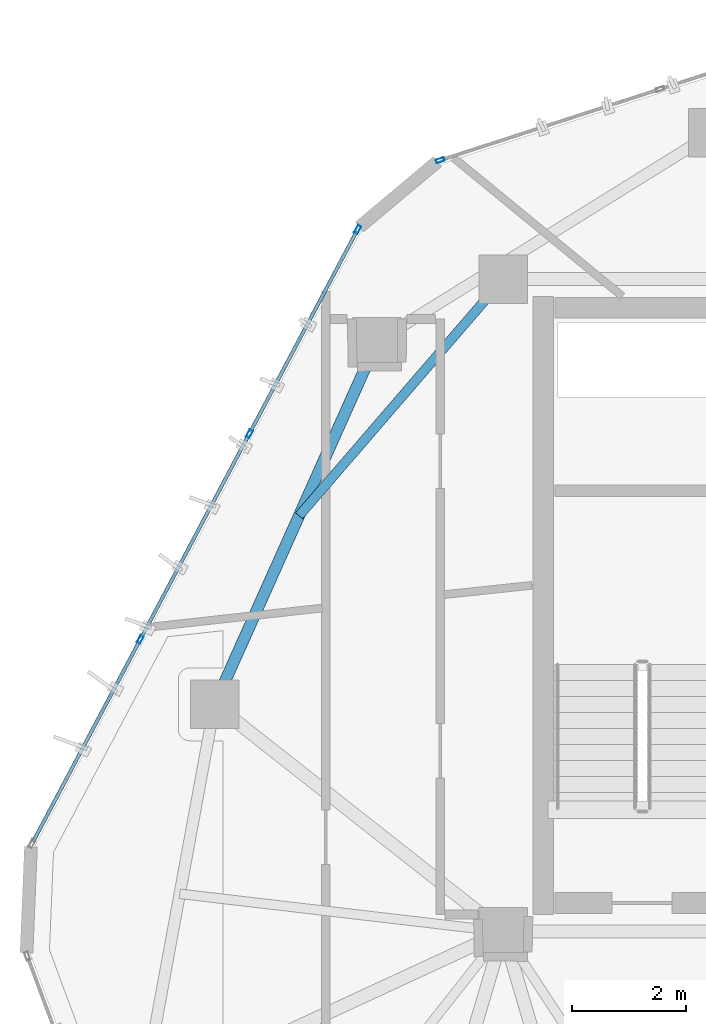
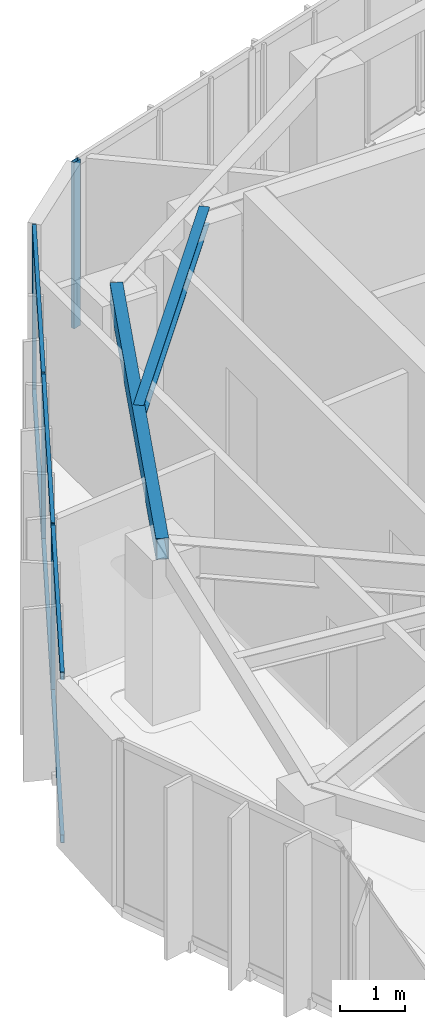
# One storey, part 8 of 19: 10 members, 2 beams, 2 elements without a shape of their own.
"""IFC4 building model written with IfcOpenShell, lengths in metres."""

from ifc_helpers import new_model, si_unit, direction, frame, origin, origin_2d, place, context, subcontext, project, spatial, hollow_rectangle, i_section, extrude, source, transform, mapped, material, layer, layer_set, material_profile, profile_set, type_object, type_shapes, element, aggregate, save


model = new_model("IFC4")

# Units and contexts
model_context = context("Model", 3, precision=1e-05, world=origin(), true_north=direction((0.0, 1.0)))
body_context = subcontext(model_context, "Body", "Model", "MODEL_VIEW")
ifc_project = project(units=[si_unit("LENGTHUNIT", "METRE"), si_unit("AREAUNIT", "SQUARE_METRE"), si_unit("VOLUMEUNIT", "CUBIC_METRE"), si_unit("PLANEANGLEUNIT", "RADIAN"), si_unit("MASSUNIT", "GRAM", prefix="KILO")], contexts=[model_context])

# Site, building, storey
site_placement = place(None, origin())
site = spatial("IfcSite", under=ifc_project, at=site_placement, CompositionType="ELEMENT")
building_placement = place(site_placement, origin())
building = spatial("IfcBuilding", under=site, at=building_placement, Name="Talar Marvaseh", CompositionType="ELEMENT")
storey_placement = place(building_placement, frame((0.0, 0.0, 288.39990234375)))
storey = spatial("IfcBuildingStorey", under=building, at=storey_placement, Name="L77", CompositionType="ELEMENT", Elevation=288.39990234375)

# Beams
ifc_material_1 = material(Name="Steel S355", Category="steel")
ifc_material_profile_1 = material_profile(ifc_material_1, hollow_rectangle(XDim=0.199951171875, YDim=0.39990234375, WallThickness=0.013916015625, at=origin_2d()), Name="RHS400x200x14")
ifc_profile_set_1 = profile_set([ifc_material_profile_1], Name="Steel S355")
beam_type_1 = type_object("IfcBeamType", Name="Zone 3 Perimeter Spandrel Beam RHS400x200x14", PredefinedType="SPANDREL", material=ifc_profile_set_1)
beam_1_placement = place(storey_placement, frame((13.657958984375, 29.469970703125, 2.940185546875), z_axis=(0.408486346803, 0.912764429892, 0.0), x_axis=(-0.912764429892, 0.408486346803, 0.0)))
element("IfcBeam", 1, at=beam_1_placement, inside=storey, type_object=beam_type_1, Name="L77 Zone 3 Perimeter Spandrel Beam RHS400x200x14", PredefinedType="SPANDREL", context=body_context, shape_type="SweptSolid", body=[
    extrude(hollow_rectangle(XDim=0.199951171875, YDim=0.39990234375, WallThickness=0.013916015625, at=origin_2d()), origin(), (0.0, 0.0, 1.0), 6.942626953125),
])
ifc_material_profile_2 = material_profile(ifc_material_1, i_section(OverallWidth=0.166015625, OverallDepth=0.31298828125, WebThickness=0.006591796875, FlangeThickness=0.01123046875, at=origin_2d()), Name="W310x45")
ifc_profile_set_2 = profile_set([ifc_material_profile_2], Name="Steel S355")
beam_type_2 = type_object("IfcBeamType", Name="Zone 3 Secondary Floor Joist W310x45", PredefinedType="JOIST", material=ifc_profile_set_2)
beam_2_placement = place(storey_placement, frame((15.1328125, 32.76513671875, 2.983642578125), z_axis=(0.653221697747, 0.757166701323, 0.0), x_axis=(-0.757166701323, 0.653221697747, 0.0)))
element("IfcBeam", 2, at=beam_2_placement, inside=storey, type_object=beam_type_2, Name="L77 Zone 3 Secondary Floor Joist W310x45", PredefinedType="JOIST", context=body_context, shape_type="SweptSolid", body=[
    extrude(i_section(OverallWidth=0.166015625, OverallDepth=0.31298828125, WebThickness=0.006591796875, FlangeThickness=0.01123046875, at=origin_2d()), origin(), (0.0, 0.0, 1.0), 5.4609375),
])

# Curtain wall, members
ifc_material_2 = material(Name="Architectural Aluminium", Category="aluminium")
ifc_layer = layer(ifc_material_2, 0.179931640625)
ifc_layer_set = layer_set([ifc_layer], Name="Architectural Aluminium")
curtain_wall_type = type_object("IfcCurtainWallType", Name="Unitised High-Wind Sky Curtain Wall Z4", PredefinedType="NOTDEFINED", material=ifc_layer_set)
curtain_wall_1_placement = place(storey_placement, origin())
curtain_wall_1 = element("IfcCurtainWall", 3, at=curtain_wall_1_placement, inside=storey, type_object=curtain_wall_type, Name="L77 Unitised High-Wind Sky Curtain Wall Z4", PredefinedType="NOTDEFINED")
ifc_material_profile_3 = material_profile(ifc_material_2, hollow_rectangle(XDim=0.06494140625, YDim=0.14990234375, WallThickness=0.00390625, at=origin_2d()), Name="RHS150x65x4")
ifc_profile_set_3 = profile_set([ifc_material_profile_3], Name="Architectural Aluminium")
member_type_1 = type_object("IfcMemberType", Name="Unitised Curtain Wall Slim Transom RHS150x65x4", PredefinedType="USERDEFINED", material=ifc_profile_set_3)
shared_shape_1 = source(origin(), body_context, "Body", "SweptSolid", [
    extrude(hollow_rectangle(XDim=0.06494140625, YDim=0.14990234375, WallThickness=0.00390625, at=origin_2d()), origin(), (0.0, 0.0, 1.0), 3.97119140625),
])
member_1_placement = place(storey_placement, frame((10.484619140625, 27.06640625, 0.03271484375), z_axis=(0.468407385061, 0.88351260411, 0.0), x_axis=(-0.88351260411, 0.468407385061, 0.0)))
member_1 = element("IfcMember", 4, at=member_1_placement, type_object=member_type_1, Name="CW-Z4 transom 1.1", ObjectType="TRANSOM", PredefinedType="USERDEFINED", context=body_context, shape_type="MappedRepresentation", body=[
    mapped(shared_shape_1, transform((0.0, 0.0, 0.0), x_axis=(1.0, 0.0, 0.0), y_axis=(0.0, 1.0, 0.0), z_axis=(0.0, 0.0, 1.0), scale=1.0)),
])
member_2_placement = place(storey_placement, frame((10.484619140625, 27.06640625, 3.107666015625), z_axis=(0.468407385061, 0.88351260411, 0.0), x_axis=(-0.88351260411, 0.468407385061, 0.0)))
member_2 = element("IfcMember", 5, at=member_2_placement, type_object=member_type_1, Name="CW-Z4 transom 1.2", ObjectType="TRANSOM", PredefinedType="USERDEFINED", context=body_context, shape_type="MappedRepresentation", body=[
    mapped(shared_shape_1, transform((0.0, 0.0, 0.0), x_axis=(1.0, 0.0, 0.0), y_axis=(0.0, 1.0, 0.0), z_axis=(0.0, 0.0, 1.0), scale=1.0)),
])
shared_shape_2 = source(origin(), body_context, "Body", "SweptSolid", [
    extrude(hollow_rectangle(XDim=0.06494140625, YDim=0.14990234375, WallThickness=0.00390625, at=origin_2d()), origin(), (0.0, 0.0, 1.0), 4.00341796875),
])
member_3_placement = place(storey_placement, frame((12.375244140625, 30.63232421875, 0.03271484375), z_axis=(0.468405990539, 0.883513343435, 0.0), x_axis=(-0.883513343435, 0.468405990539, 0.0)))
member_3 = element("IfcMember", 6, at=member_3_placement, type_object=member_type_1, Name="CW-Z4 transom 2.1", ObjectType="TRANSOM", PredefinedType="USERDEFINED", context=body_context, shape_type="MappedRepresentation", body=[
    mapped(shared_shape_2, transform((0.0, 0.0, 0.0), x_axis=(1.0, 0.0, 0.0), y_axis=(0.0, 1.0, 0.0), z_axis=(0.0, 0.0, 1.0), scale=1.0)),
])
member_4_placement = place(storey_placement, frame((12.375244140625, 30.63232421875, 3.107666015625), z_axis=(0.468405990539, 0.883513343435, 0.0), x_axis=(-0.883513343435, 0.468405990539, 0.0)))
member_4 = element("IfcMember", 7, at=member_4_placement, type_object=member_type_1, Name="CW-Z4 transom 2.2", ObjectType="TRANSOM", PredefinedType="USERDEFINED", context=body_context, shape_type="MappedRepresentation", body=[
    mapped(shared_shape_2, transform((0.0, 0.0, 0.0), x_axis=(1.0, 0.0, 0.0), y_axis=(0.0, 1.0, 0.0), z_axis=(0.0, 0.0, 1.0), scale=1.0)),
])
ifc_material_profile_4 = material_profile(ifc_material_2, hollow_rectangle(XDim=0.06494140625, YDim=0.14990234375, WallThickness=0.00390625, at=origin_2d()), Name="RHS150x65x4")
ifc_profile_set_4 = profile_set([ifc_material_profile_4], Name="Architectural Aluminium")
member_type_2 = type_object("IfcMemberType", Name="Unitised Curtain Wall Slim Mullion RHS150x65x4", PredefinedType="MULLION", material=ifc_profile_set_4)
shared_shape_3 = source(origin(), body_context, "Body", "SweptSolid", [
    extrude(hollow_rectangle(XDim=0.06494140625, YDim=0.14990234375, WallThickness=0.00390625, at=origin_2d()), origin(), (0.0, 0.0, 1.0), 3.14013671875),
])
type_shapes(member_type_2, [shared_shape_3])
member_5_placement = place(storey_placement, frame((12.35986328125, 30.603515625, 0.0), z_axis=(0.0, 0.0, 1.0), x_axis=(-0.883505770369, 0.468420274674, 0.0)))
member_5 = element("IfcMember", 8, at=member_5_placement, type_object=member_type_2, Name="CW-Z4 mullion 2", PredefinedType="MULLION", context=body_context, shape_type="MappedRepresentation", body=[
    mapped(shared_shape_3, transform((0.0, 0.0, 0.0), x_axis=(1.0, 0.0, 0.0), y_axis=(0.0, 1.0, 0.0), z_axis=(0.0, 0.0, 1.0), scale=1.0)),
])
member_6_placement = place(storey_placement, frame((14.265869140625, 34.1982421875, 0.0), z_axis=(0.0, 0.0, 1.0), x_axis=(-0.883505770369, 0.468420274674, 0.0)))
member_6 = element("IfcMember", 9, at=member_6_placement, type_object=member_type_2, Name="CW-Z4 mullion 3", PredefinedType="MULLION", context=body_context, shape_type="MappedRepresentation", body=[
    mapped(shared_shape_3, transform((0.0, 0.0, 0.0), x_axis=(1.0, 0.0, 0.0), y_axis=(0.0, 1.0, 0.0), z_axis=(0.0, 0.0, 1.0), scale=1.0)),
])
member_7_placement = place(storey_placement, frame((16.156494140625, 37.76416015625, 0.0), z_axis=(0.0, 0.0, 1.0), x_axis=(-0.883505770369, 0.468420274674, 0.0)))
member_7 = element("IfcMember", 10, at=member_7_placement, type_object=member_type_2, Name="CW-Z4 mullion 4", PredefinedType="MULLION", context=body_context, shape_type="MappedRepresentation", body=[
    mapped(shared_shape_3, transform((0.0, 0.0, 0.0), x_axis=(1.0, 0.0, 0.0), y_axis=(0.0, 1.0, 0.0), z_axis=(0.0, 0.0, 1.0), scale=1.0)),
])

# Curtain wall, member
curtain_wall_2_placement = place(storey_placement, origin())
curtain_wall_2 = element("IfcCurtainWall", 11, at=curtain_wall_2_placement, inside=storey, type_object=curtain_wall_type, Name="L77 Unitised High-Wind Sky Curtain Wall Z4", PredefinedType="NOTDEFINED")
member_8_placement = place(storey_placement, frame((17.60107421875, 38.976318359375, 0.0), z_axis=(0.0, 0.0, 1.0), x_axis=(-0.307888558966, 0.951422427346, 0.0)))
member_8 = element("IfcMember", 12, at=member_8_placement, type_object=member_type_2, Name="CW-Z4 mullion 1", PredefinedType="MULLION", context=body_context, shape_type="MappedRepresentation", body=[
    mapped(shared_shape_3, transform((0.0, 0.0, 0.0), x_axis=(1.0, 0.0, 0.0), y_axis=(0.0, 1.0, 0.0), z_axis=(0.0, 0.0, 1.0), scale=1.0)),
])
aggregate(curtain_wall_2, [member_8])

# Member
shared_shape_4 = source(origin(), body_context, "Body", "SweptSolid", [
    extrude(hollow_rectangle(XDim=0.06494140625, YDim=0.14990234375, WallThickness=0.00390625, at=origin_2d()), origin(), (0.0, 0.0, 1.0), 3.970947265625),
])
type_shapes(member_type_1, [shared_shape_1, shared_shape_2, shared_shape_4])
member_9_placement = place(storey_placement, frame((14.281005859375, 34.22705078125, 0.03271484375), z_axis=(0.468432828893, 0.883499114213, 0.0), x_axis=(-0.883499114213, 0.468432828893, 0.0)))
member_9 = element("IfcMember", 13, at=member_9_placement, type_object=member_type_1, Name="CW-Z4 transom 3.1", ObjectType="TRANSOM", PredefinedType="USERDEFINED", context=body_context, shape_type="MappedRepresentation", body=[
    mapped(shared_shape_4, transform((0.0, 0.0, 0.0), x_axis=(1.0, 0.0, 0.0), y_axis=(0.0, 1.0, 0.0), z_axis=(0.0, 0.0, 1.0), scale=1.0)),
])

member_10_placement = place(storey_placement, frame((14.281005859375, 34.22705078125, 3.107666015625), z_axis=(0.468432828893, 0.883499114213, 0.0), x_axis=(-0.883499114213, 0.468432828893, 0.0)))
member_10 = element("IfcMember", 14, at=member_10_placement, type_object=member_type_1, Name="CW-Z4 transom 3.2", ObjectType="TRANSOM", PredefinedType="USERDEFINED", context=body_context, shape_type="MappedRepresentation", body=[
    mapped(shared_shape_4, transform((0.0, 0.0, 0.0), x_axis=(1.0, 0.0, 0.0), y_axis=(0.0, 1.0, 0.0), z_axis=(0.0, 0.0, 1.0), scale=1.0)),
])

aggregate(curtain_wall_1, [member_5, member_6, member_7, member_1, member_2, member_3, member_4, member_9, member_10])

save(model, "model.ifc")
